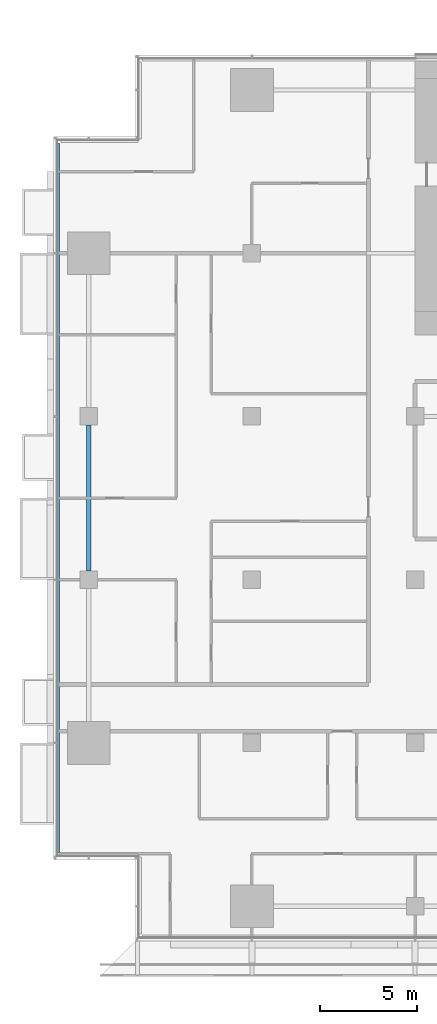
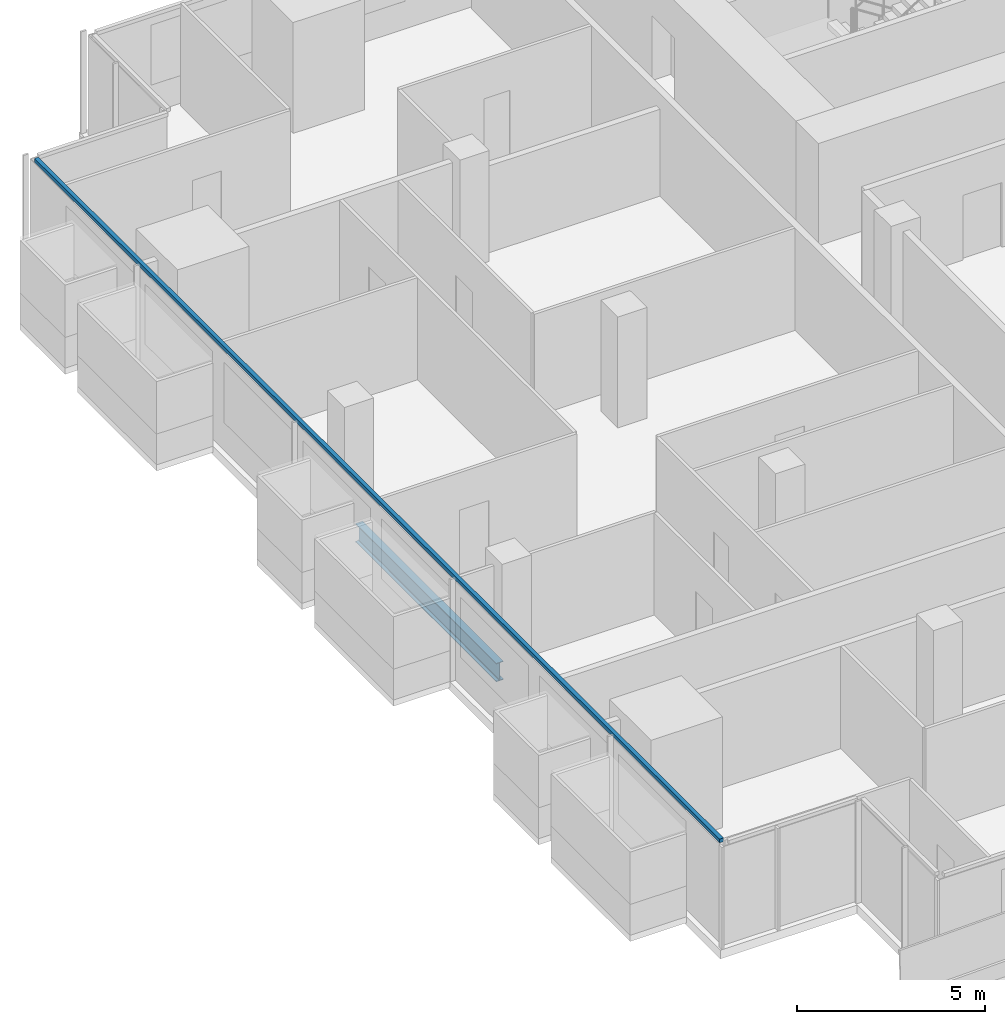
# One storey, part 3 of 30: 1 beam, 1 member, 1 element without a shape of its own.
"""IFC4 building model written with IfcOpenShell, lengths in metres."""

from ifc_helpers import new_model, si_unit, direction, frame, origin, origin_2d, place, context, subcontext, project, spatial, rectangle, i_section, extrude, material, material_profile, profile_set, type_object, element, aggregate, save


model = new_model("IFC4")

# Units and contexts
model_context = context("Model", 3, precision=1e-05, world=origin(), true_north=direction((0.0, 1.0)))
body_context = subcontext(model_context, "Body", "Model", "MODEL_VIEW")
ifc_project = project(units=[si_unit("LENGTHUNIT", "METRE"), si_unit("AREAUNIT", "SQUARE_METRE"), si_unit("VOLUMEUNIT", "CUBIC_METRE"), si_unit("PLANEANGLEUNIT", "RADIAN"), si_unit("MASSUNIT", "GRAM", prefix="KILO")], contexts=[model_context])

# Site, building, storey
site_placement = place(None, origin())
site = spatial("IfcSite", under=ifc_project, at=site_placement, CompositionType="ELEMENT")
building_placement = place(site_placement, origin())
building = spatial("IfcBuilding", under=site, at=building_placement, Name="Saffron Gate Tower", CompositionType="ELEMENT")
storey_placement = place(building_placement, frame((0.0, 0.0, 37.199951171875)))
storey = spatial("IfcBuildingStorey", under=building, at=storey_placement, Name="L07", CompositionType="ELEMENT", Elevation=37.199951171875)

# Beam
ifc_material_1 = material(Name="Structural steel S355", Category="steel")
ifc_material_profile_1 = material_profile(ifc_material_1, i_section(OverallWidth=0.219970703125, OverallDepth=0.60009765625, WebThickness=0.011962890625, FlangeThickness=0.01904296875, FilletRadius=0.02392578125, at=origin_2d()))
ifc_profile_set_1 = profile_set([ifc_material_profile_1], Name="Structural steel S355")
beam_type = type_object("IfcBeamType", Name="B16 IPE 600", PredefinedType="SPANDREL", material=ifc_profile_set_1)
beam_placement = place(storey_placement, frame((49.800048828125, 49.050048828125, -0.579833984375), z_axis=(0.0, 1.0, 0.0), x_axis=(-1.0, 0.0, 0.0)))
element("IfcBeam", 1, at=beam_placement, inside=storey, type_object=beam_type, Name="B16 SPANDREL BEAM", PredefinedType="SPANDREL", context=body_context, shape_type="SweptSolid", body=[
    extrude(i_section(OverallWidth=0.219970703125, OverallDepth=0.60009765625, WebThickness=0.011962890625, FlangeThickness=0.01904296875, FilletRadius=0.02392578125, at=origin_2d()), origin(), (0.0, 0.0, 1.0), 7.5),
])

# Curtain wall, member
ifc_material_2 = material(Name="Aluminium, bronze anodised", Category="aluminium")
curtain_wall_type = type_object("IfcCurtainWallType", Name="CWS2 curtain wall side facades", PredefinedType="NOTDEFINED", material=ifc_material_2)
curtain_wall_placement = place(storey_placement, origin())
curtain_wall = element("IfcCurtainWall", 2, at=curtain_wall_placement, inside=storey, type_object=curtain_wall_type, Name="CWS2 run 10", PredefinedType="NOTDEFINED")
ifc_material_profile_2 = material_profile(ifc_material_2, rectangle(XDim=0.1201171875, YDim=0.1201171875, at=origin_2d()))
ifc_profile_set_2 = profile_set([ifc_material_profile_2], Name="Aluminium, bronze anodised")
member_type = type_object("IfcMemberType", Name="CWS2 head transom", PredefinedType="USERDEFINED", material=ifc_profile_set_2)
member_placement = place(storey_placement, frame((48.248046875, 71.031982421875, 3.260009765625), z_axis=(0.0, -1.0, 0.0), x_axis=(1.0, 0.0, 0.0)))
member = element("IfcMember", 3, at=member_placement, type_object=member_type, Name="CWS2 head transom", ObjectType="TRANSOM", PredefinedType="USERDEFINED", context=body_context, shape_type="SweptSolid", body=[
    extrude(rectangle(XDim=0.1201171875, YDim=0.1201171875, at=origin_2d()), origin(), (0.0, 0.0, 1.0), 36.4638671875),
])
aggregate(curtain_wall, [member])

save(model, "model.ifc")
